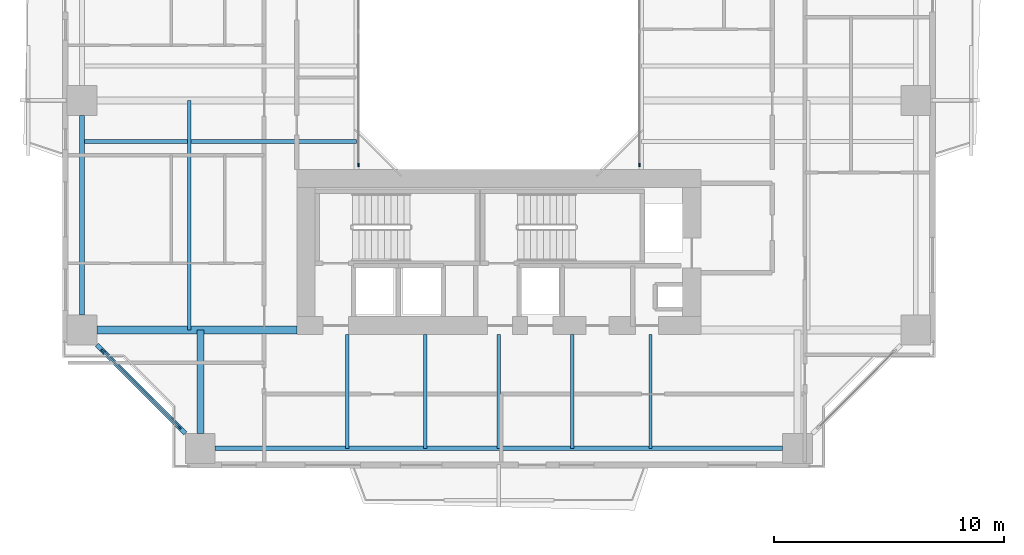
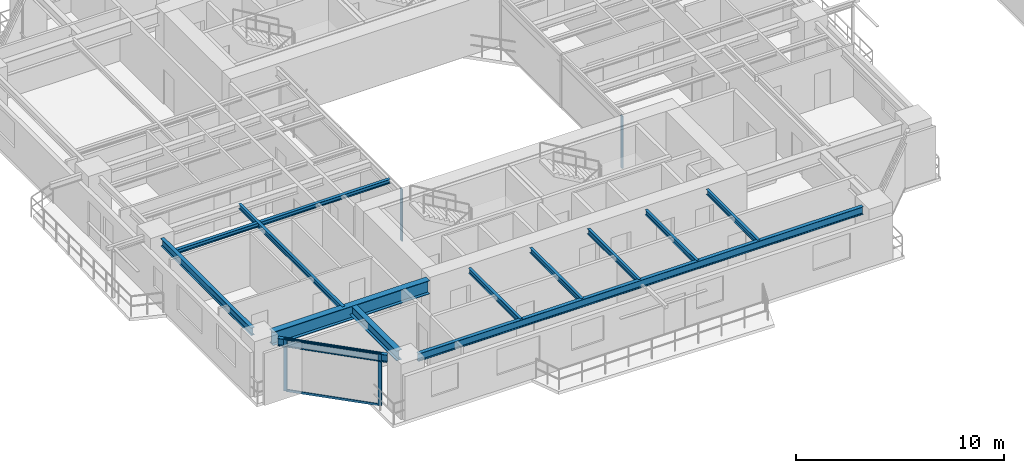
# One storey, part 2 of 24: 12 beams, 6 members, 3 elements without a shape of their own.
"""IFC4 building model written with IfcOpenShell, lengths in metres."""

from ifc_helpers import new_model, si_unit, direction, frame, origin, origin_2d, place, context, subcontext, project, spatial, rectangle, i_section, extrude, source, transform, mapped, material, layer, layer_set, material_profile, profile_set, type_object, element, aggregate, save


model = new_model("IFC4")

# Units and contexts
model_context = context("Model", 3, precision=1e-05, world=origin(), true_north=direction((0.0, 1.0)))
body_context = subcontext(model_context, "Body", "Model", "MODEL_VIEW")
ifc_project = project(units=[si_unit("LENGTHUNIT", "METRE"), si_unit("AREAUNIT", "SQUARE_METRE"), si_unit("VOLUMEUNIT", "CUBIC_METRE"), si_unit("PLANEANGLEUNIT", "RADIAN"), si_unit("MASSUNIT", "GRAM", prefix="KILO"), si_unit("THERMODYNAMICTEMPERATUREUNIT", "KELVIN"), si_unit("POWERUNIT", "WATT")], contexts=[model_context])

# Site, building, storey
site_placement = place(None, origin())
site = spatial("IfcSite", under=ifc_project, at=site_placement, CompositionType="ELEMENT")
building_placement = place(site_placement, origin())
building = spatial("IfcBuilding", under=site, at=building_placement, Name="Qiaomeng Ring Towers", CompositionType="ELEMENT")
storey_placement = place(building_placement, frame((0.0, 0.0, 69.75)))
storey = spatial("IfcBuildingStorey", under=building, at=storey_placement, Name="L19", CompositionType="ELEMENT", Elevation=69.75)

# Beams
ifc_material_1 = material(Name="Steel Q355B", Category="steel")
ifc_material_profile_1 = material_profile(ifc_material_1, i_section(OverallWidth=0.199951171875, OverallDepth=0.449951171875, WebThickness=0.009033203125, FlangeThickness=0.013916015625, FilletRadius=0.01806640625, at=origin_2d()), Name="HN 450x200x9x14")
ifc_profile_set_1 = profile_set([ifc_material_profile_1], Name="Steel Q355B")
beam_type_1 = type_object("IfcBeamType", Name="STR-BM-HN450", PredefinedType="SPANDREL", material=ifc_profile_set_1)
shared_shape_1 = source(origin(), body_context, "Body", "SweptSolid", [
    extrude(i_section(OverallWidth=0.199951171875, OverallDepth=0.449951171875, WebThickness=0.009033203125, FlangeThickness=0.013916015625, FilletRadius=0.01806640625, at=origin_2d()), origin(), (0.0, 0.0, 1.0), 24.7021484375),
])
beam_1_placement = place(storey_placement, frame((6.64892578125, 4.85009765625, 2.844970703125), z_axis=(1.0, 0.0, 0.0), x_axis=(0.0, 1.0, 0.0)))
element("IfcBeam", 1, at=beam_1_placement, inside=storey, type_object=beam_type_1, Name="L19 beam STR-SP-L19-T1-S1-S2", PredefinedType="SPANDREL", context=body_context, shape_type="MappedRepresentation", body=[
    mapped(shared_shape_1, transform((0.0, 0.0, 0.0), x_axis=(1.0, 0.0, 0.0), y_axis=(0.0, 1.0, 0.0), z_axis=(0.0, 0.0, 1.0), scale=1.0)),
])
shared_shape_2 = source(origin(), body_context, "Body", "SweptSolid", [
    extrude(i_section(OverallWidth=0.199951171875, OverallDepth=0.449951171875, WebThickness=0.009033203125, FlangeThickness=0.013916015625, FilletRadius=0.01806640625, at=origin_2d()), origin(), (0.0, 0.0, 1.0), 5.446533203125),
])
beam_2_placement = place(storey_placement, frame((1.499267578125, 9.3505859375, 2.844970703125), z_axis=(0.707106781187, -0.707106781187, 0.0), x_axis=(0.707106781187, 0.707106781187, 0.0)))
element("IfcBeam", 2, at=beam_2_placement, inside=storey, type_object=beam_type_1, Name="L19 beam STR-SP-L19-T1-W1-S1", PredefinedType="SPANDREL", context=body_context, shape_type="MappedRepresentation", body=[
    mapped(shared_shape_2, transform((0.0, 0.0, 0.0), x_axis=(1.0, 0.0, 0.0), y_axis=(0.0, 1.0, 0.0), z_axis=(0.0, 0.0, 1.0), scale=1.0)),
])
shared_shape_3 = source(origin(), body_context, "Body", "SweptSolid", [
    extrude(i_section(OverallWidth=0.199951171875, OverallDepth=0.449951171875, WebThickness=0.009033203125, FlangeThickness=0.013916015625, FilletRadius=0.01806640625, at=origin_2d()), origin(), (0.0, 0.0, 1.0), 8.7021484375),
])
beam_3_placement = place(storey_placement, frame((0.85009765625, 19.35107421875, 2.844970703125), z_axis=(0.0, -1.0, 0.0), x_axis=(1.0, 0.0, 0.0)))
element("IfcBeam", 3, at=beam_3_placement, inside=storey, type_object=beam_type_1, Name="L19 beam STR-SP-L19-T1-W2-W1", PredefinedType="SPANDREL", context=body_context, shape_type="MappedRepresentation", body=[
    mapped(shared_shape_3, transform((0.0, 0.0, 0.0), x_axis=(1.0, 0.0, 0.0), y_axis=(0.0, 1.0, 0.0), z_axis=(0.0, 0.0, 1.0), scale=1.0)),
])
ifc_material_2 = material(Name="Steel Q390GJC", Category="steel")
ifc_material_profile_2 = material_profile(ifc_material_2, i_section(OverallWidth=0.35009765625, OverallDepth=0.800048828125, WebThickness=0.01611328125, FlangeThickness=0.028076171875, at=origin_2d()), Name="WH 800x350x16x28")
ifc_profile_set_2 = profile_set([ifc_material_profile_2], Name="Steel Q390GJC")
beam_type_2 = type_object("IfcBeamType", Name="STR-BM-WH800", PredefinedType="BEAM", material=ifc_profile_set_2)
shared_shape_4 = source(origin(), body_context, "Body", "SweptSolid", [
    extrude(i_section(OverallWidth=0.35009765625, OverallDepth=0.800048828125, WebThickness=0.01611328125, FlangeThickness=0.028076171875, at=origin_2d()), origin(), (0.0, 0.0, 1.0), 8.700927734375),
])
beam_4_placement = place(storey_placement, frame((1.4990234375, 10.0, 2.669921875), z_axis=(1.0, 0.0, 0.0), x_axis=(0.0, 1.0, 0.0)))
element("IfcBeam", 4, at=beam_4_placement, inside=storey, type_object=beam_type_2, Name="L19 beam STR-BM-L19-T1-RAD-W1", PredefinedType="BEAM", context=body_context, shape_type="MappedRepresentation", body=[
    mapped(shared_shape_4, transform((0.0, 0.0, 0.0), x_axis=(1.0, 0.0, 0.0), y_axis=(0.0, 1.0, 0.0), z_axis=(0.0, 0.0, 1.0), scale=1.0)),
])
ifc_material_profile_3 = material_profile(ifc_material_1, i_section(OverallWidth=0.300048828125, OverallDepth=0.587890625, WebThickness=0.011962890625, FlangeThickness=0.02001953125, FilletRadius=0.028076171875, at=origin_2d()), Name="HM 588x300x12x20")
ifc_profile_set_3 = profile_set([ifc_material_profile_3], Name="Steel Q355B")
beam_type_3 = type_object("IfcBeamType", Name="STR-BM-HM588", PredefinedType="BEAM", material=ifc_profile_set_3)
shared_shape_5 = source(origin(), body_context, "Body", "SweptSolid", [
    extrude(i_section(OverallWidth=0.300048828125, OverallDepth=0.587890625, WebThickness=0.011962890625, FlangeThickness=0.02001953125, FilletRadius=0.028076171875, at=origin_2d()), origin(), (0.0, 0.0, 1.0), 4.5009765625),
])
beam_5_placement = place(storey_placement, frame((6.0, 5.4990234375, 2.77587890625), z_axis=(0.0, 1.0, 0.0), x_axis=(-1.0, 0.0, 0.0)))
element("IfcBeam", 5, at=beam_5_placement, inside=storey, type_object=beam_type_3, Name="L19 beam STR-BM-L19-T1-RAD-S1", PredefinedType="BEAM", context=body_context, shape_type="MappedRepresentation", body=[
    mapped(shared_shape_5, transform((0.0, 0.0, 0.0), x_axis=(1.0, 0.0, 0.0), y_axis=(0.0, 1.0, 0.0), z_axis=(0.0, 0.0, 1.0), scale=1.0)),
])
ifc_material_profile_4 = material_profile(ifc_material_1, i_section(OverallWidth=0.14990234375, OverallDepth=0.300048828125, WebThickness=0.006591796875, FlangeThickness=0.009033203125, FilletRadius=0.012939453125, at=origin_2d()), Name="HN 300x150x6.5x9")
ifc_profile_set_4 = profile_set([ifc_material_profile_4], Name="Steel Q355B")
beam_type_4 = type_object("IfcBeamType", Name="STR-BM-HN300", PredefinedType="JOIST", material=ifc_profile_set_4)
shared_shape_6 = source(origin(), body_context, "Body", "SweptSolid", [
    extrude(i_section(OverallWidth=0.14990234375, OverallDepth=0.300048828125, WebThickness=0.006591796875, FlangeThickness=0.009033203125, FilletRadius=0.012939453125, at=origin_2d()), origin(), (0.0, 0.0, 1.0), 4.949951171875),
])
for number, where, z_axis, x_axis, name in (
    (6, (12.39990234375, 4.85009765625, 2.919921875), (0.0, 1.0, 0.0), (-1.0, 0.0, 0.0), "L19 beam STR-JST-L19-T1S-1"),
    (7, (15.800048828125, 4.85009765625, 2.919921875), (0.0, 1.0, 0.0), (-1.0, 0.0, 0.0), "L19 beam STR-JST-L19-T1S-2"),
    (8, (19.0, 4.85009765625, 2.919921875), (0.0, 1.0, 0.0), (-1.0, 0.0, 0.0), "L19 beam STR-JST-L19-T1S-3"),
    (9, (22.199951171875, 4.85009765625, 2.919921875), (0.0, 1.0, 0.0), (-1.0, 0.0, 0.0), "L19 beam STR-JST-L19-T1S-4"),
    (10, (25.60009765625, 4.85009765625, 2.919921875), (0.0, 1.0, 0.0), (-1.0, 0.0, 0.0), "L19 beam STR-JST-L19-T1S-5"),
):
    element("IfcBeam", number, at=place(storey_placement, frame(where, z_axis=z_axis, x_axis=x_axis)), inside=storey, type_object=beam_type_4, Name=name, PredefinedType="JOIST", context=body_context, shape_type="MappedRepresentation", body=[
        mapped(shared_shape_6, transform((0.0, 0.0, 0.0), x_axis=(1.0, 0.0, 0.0), y_axis=(0.0, 1.0, 0.0), z_axis=(0.0, 0.0, 1.0), scale=1.0)),
    ])
ifc_material_profile_5 = material_profile(ifc_material_1, i_section(OverallWidth=0.175048828125, OverallDepth=0.243896484375, WebThickness=0.007080078125, FlangeThickness=0.010986328125, FilletRadius=0.01611328125, at=origin_2d()), Name="HM 244x175x7x11")
ifc_profile_set_5 = profile_set([ifc_material_profile_5], Name="Steel Q355B")
beam_type_5 = type_object("IfcBeamType", Name="STR-BM-HM244", PredefinedType="JOIST", material=ifc_profile_set_5)
shared_shape_7 = source(origin(), body_context, "Body", "SweptSolid", [
    extrude(i_section(OverallWidth=0.175048828125, OverallDepth=0.243896484375, WebThickness=0.007080078125, FlangeThickness=0.010986328125, FilletRadius=0.01611328125, at=origin_2d()), origin(), (0.0, 0.0, 1.0), 11.949951171875),
])
beam_6_placement = place(storey_placement, frame((0.85009765625, 18.199951171875, 2.947998046875), z_axis=(1.0, 0.0, 0.0), x_axis=(0.0, 1.0, 0.0)))
element("IfcBeam", 11, at=beam_6_placement, inside=storey, type_object=beam_type_5, Name="L19 beam STR-JST-L19-T1W-1", PredefinedType="JOIST", context=body_context, shape_type="MappedRepresentation", body=[
    mapped(shared_shape_7, transform((0.0, 0.0, 0.0), x_axis=(1.0, 0.0, 0.0), y_axis=(0.0, 1.0, 0.0), z_axis=(0.0, 0.0, 1.0), scale=1.0)),
])
shared_shape_8 = source(origin(), body_context, "Body", "SweptSolid", [
    extrude(i_section(OverallWidth=0.14990234375, OverallDepth=0.300048828125, WebThickness=0.006591796875, FlangeThickness=0.009033203125, FilletRadius=0.012939453125, at=origin_2d()), origin(), (0.0, 0.0, 1.0), 10.0),
])
beam_7_placement = place(storey_placement, frame((5.52490234375, 10.0, 2.919921875), z_axis=(0.0, 1.0, 0.0), x_axis=(-1.0, 0.0, 0.0)))
element("IfcBeam", 12, at=beam_7_placement, inside=storey, type_object=beam_type_4, Name="L19 beam STR-JST-L19-T1C-WS", PredefinedType="JOIST", context=body_context, shape_type="MappedRepresentation", body=[
    mapped(shared_shape_8, transform((0.0, 0.0, 0.0), x_axis=(1.0, 0.0, 0.0), y_axis=(0.0, 1.0, 0.0), z_axis=(0.0, 0.0, 1.0), scale=1.0)),
])

# Curtain wall, member
ifc_material_3 = material(Name="Fluorocarbon dark-grey aluminium", Category="aluminium")
ifc_layer_1 = layer(ifc_material_3, 0.139892578125, Name="Fluorocarbon dark-grey aluminium")
ifc_layer_set_1 = layer_set([ifc_layer_1], Name="Fluorocarbon dark-grey aluminium")
curtain_wall_type_1 = type_object("IfcCurtainWallType", Name="ARC-CW-4", PredefinedType="NOTDEFINED", material=ifc_layer_set_1)
curtain_wall_1_placement = place(storey_placement, origin())
curtain_wall_1 = element("IfcCurtainWall", 13, at=curtain_wall_1_placement, inside=storey, type_object=curtain_wall_type_1, Name="L19 Curtain Wall CW4", PredefinedType="NOTDEFINED")
ifc_material_profile_6 = material_profile(ifc_material_3, rectangle(XDim=0.06494140625, YDim=0.159912109375, at=origin_2d()), Name="ALU MULL 65x160")
ifc_profile_set_6 = profile_set([ifc_material_profile_6], Name="Fluorocarbon dark-grey aluminium")
member_type_1 = type_object("IfcMemberType", Name="ARC-CWM-140", PredefinedType="MULLION", material=ifc_profile_set_6)
shared_shape_9 = source(origin(), body_context, "Body", "SweptSolid", [
    extrude(rectangle(XDim=0.06494140625, YDim=0.159912109375, at=origin_2d()), origin(), (0.0, 0.0, 1.0), 3.070068359375),
])
member_1_placement = place(storey_placement, frame((12.8798828125, 17.1826171875, 0.0), z_axis=(0.0, 0.0, 1.0), x_axis=(-1.0, 0.0, 0.0)))
member_1 = element("IfcMember", 14, at=member_1_placement, type_object=member_type_1, Name="CW4 mullion 1", PredefinedType="MULLION", context=body_context, shape_type="MappedRepresentation", body=[
    mapped(shared_shape_9, transform((0.0, 0.0, 0.0), x_axis=(1.0, 0.0, 0.0), y_axis=(0.0, 1.0, 0.0), z_axis=(0.0, 0.0, 1.0), scale=1.0)),
])
aggregate(curtain_wall_1, [member_1])

curtain_wall_2_placement = place(storey_placement, origin())
curtain_wall_2 = element("IfcCurtainWall", 15, at=curtain_wall_2_placement, inside=storey, type_object=curtain_wall_type_1, Name="L19 Curtain Wall CW4", PredefinedType="NOTDEFINED")
member_2_placement = place(storey_placement, frame((25.1201171875, 17.1826171875, 0.0), z_axis=(0.0, 0.0, 1.0), x_axis=(-1.0, 0.0, 0.0)))
member_2 = element("IfcMember", 16, at=member_2_placement, type_object=member_type_1, Name="CW4 mullion 1", PredefinedType="MULLION", context=body_context, shape_type="MappedRepresentation", body=[
    mapped(shared_shape_9, transform((0.0, 0.0, 0.0), x_axis=(1.0, 0.0, 0.0), y_axis=(0.0, 1.0, 0.0), z_axis=(0.0, 0.0, 1.0), scale=1.0)),
])
aggregate(curtain_wall_2, [member_2])

# Curtain wall, members
ifc_layer_2 = layer(ifc_material_3, 0.159912109375, Name="Fluorocarbon dark-grey aluminium")
ifc_layer_set_2 = layer_set([ifc_layer_2], Name="Fluorocarbon dark-grey aluminium")
curtain_wall_type_2 = type_object("IfcCurtainWallType", Name="ARC-CW-2", PredefinedType="NOTDEFINED", material=ifc_layer_set_2)
curtain_wall_3_placement = place(storey_placement, origin())
curtain_wall_3 = element("IfcCurtainWall", 17, at=curtain_wall_3_placement, inside=storey, type_object=curtain_wall_type_2, Name="L19 Curtain Wall CW2", PredefinedType="NOTDEFINED")
ifc_material_profile_7 = material_profile(ifc_material_3, rectangle(XDim=0.070068359375, YDim=0.179931640625, at=origin_2d()), Name="ALU MULL 70x180")
ifc_profile_set_7 = profile_set([ifc_material_profile_7], Name="Fluorocarbon dark-grey aluminium")
member_type_2 = type_object("IfcMemberType", Name="ARC-CWM-160", PredefinedType="MULLION", material=ifc_profile_set_7)
shared_shape_10 = source(origin(), body_context, "Body", "SweptSolid", [
    extrude(rectangle(XDim=0.070068359375, YDim=0.179931640625, at=origin_2d()), origin(), (0.0, 0.0, 1.0), 3.070068359375),
])
member_3_placement = place(storey_placement, frame((1.7646484375, 9.085205078125, 0.0), z_axis=(0.0, 0.0, 1.0), x_axis=(0.707106781187, 0.707106781187, 0.0)))
member_3 = element("IfcMember", 18, at=member_3_placement, type_object=member_type_2, Name="CW2 mullion 1", PredefinedType="MULLION", context=body_context, shape_type="MappedRepresentation", body=[
    mapped(shared_shape_10, transform((0.0, 0.0, 0.0), x_axis=(1.0, 0.0, 0.0), y_axis=(0.0, 1.0, 0.0), z_axis=(0.0, 0.0, 1.0), scale=1.0)),
])
member_4_placement = place(storey_placement, frame((5.085205078125, 5.7646484375, 0.0), z_axis=(0.0, 0.0, 1.0), x_axis=(0.707106781187, 0.707106781187, 0.0)))
member_4 = element("IfcMember", 19, at=member_4_placement, type_object=member_type_2, Name="CW2 mullion 2", PredefinedType="MULLION", context=body_context, shape_type="MappedRepresentation", body=[
    mapped(shared_shape_10, transform((0.0, 0.0, 0.0), x_axis=(1.0, 0.0, 0.0), y_axis=(0.0, 1.0, 0.0), z_axis=(0.0, 0.0, 1.0), scale=1.0)),
])
ifc_material_profile_8 = material_profile(ifc_material_3, rectangle(XDim=0.06494140625, YDim=0.1298828125, at=origin_2d()), Name="ALU TRAN 65x130")
ifc_profile_set_8 = profile_set([ifc_material_profile_8], Name="Fluorocarbon dark-grey aluminium")
member_type_3 = type_object("IfcMemberType", Name="ARC-CWT-120", PredefinedType="USERDEFINED", material=ifc_profile_set_8)
shared_shape_11 = source(origin(), body_context, "Body", "SweptSolid", [
    extrude(rectangle(XDim=0.06494140625, YDim=0.1298828125, at=origin_2d()), origin(), (0.0, 0.0, 1.0), 4.6259765625),
])
member_5_placement = place(storey_placement, frame((1.78955078125, 9.060546875, 0.032470703125), z_axis=(0.707106781187, -0.707106781187, 0.0), x_axis=(0.707106781187, 0.707106781187, 0.0)))
member_5 = element("IfcMember", 20, at=member_5_placement, type_object=member_type_3, Name="CW2 transom 1.1", ObjectType="TRANSOM", PredefinedType="USERDEFINED", context=body_context, shape_type="MappedRepresentation", body=[
    mapped(shared_shape_11, transform((0.0, 0.0, 0.0), x_axis=(1.0, 0.0, 0.0), y_axis=(0.0, 1.0, 0.0), z_axis=(0.0, 0.0, 1.0), scale=1.0)),
])
member_6_placement = place(storey_placement, frame((1.78955078125, 9.060546875, 3.03759765625), z_axis=(0.707106781187, -0.707106781187, 0.0), x_axis=(0.707106781187, 0.707106781187, 0.0)))
member_6 = element("IfcMember", 21, at=member_6_placement, type_object=member_type_3, Name="CW2 transom 1.2", ObjectType="TRANSOM", PredefinedType="USERDEFINED", context=body_context, shape_type="MappedRepresentation", body=[
    mapped(shared_shape_11, transform((0.0, 0.0, 0.0), x_axis=(1.0, 0.0, 0.0), y_axis=(0.0, 1.0, 0.0), z_axis=(0.0, 0.0, 1.0), scale=1.0)),
])
aggregate(curtain_wall_3, [member_3, member_4, member_5, member_6])

save(model, "model.ifc")
